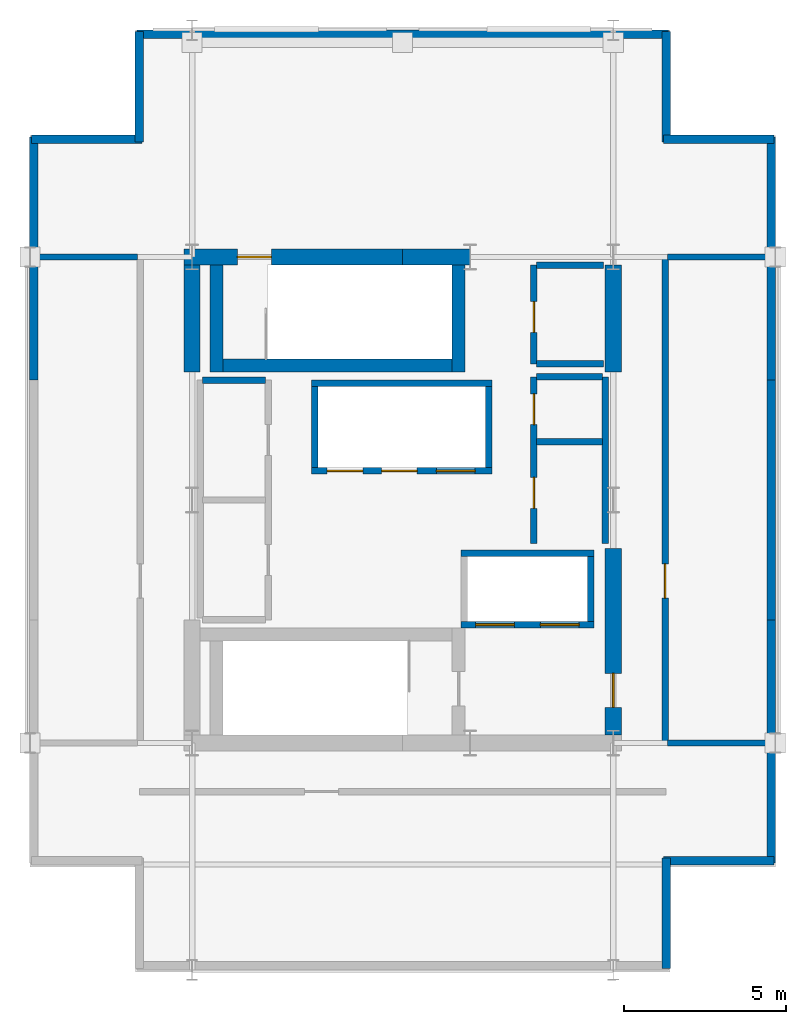
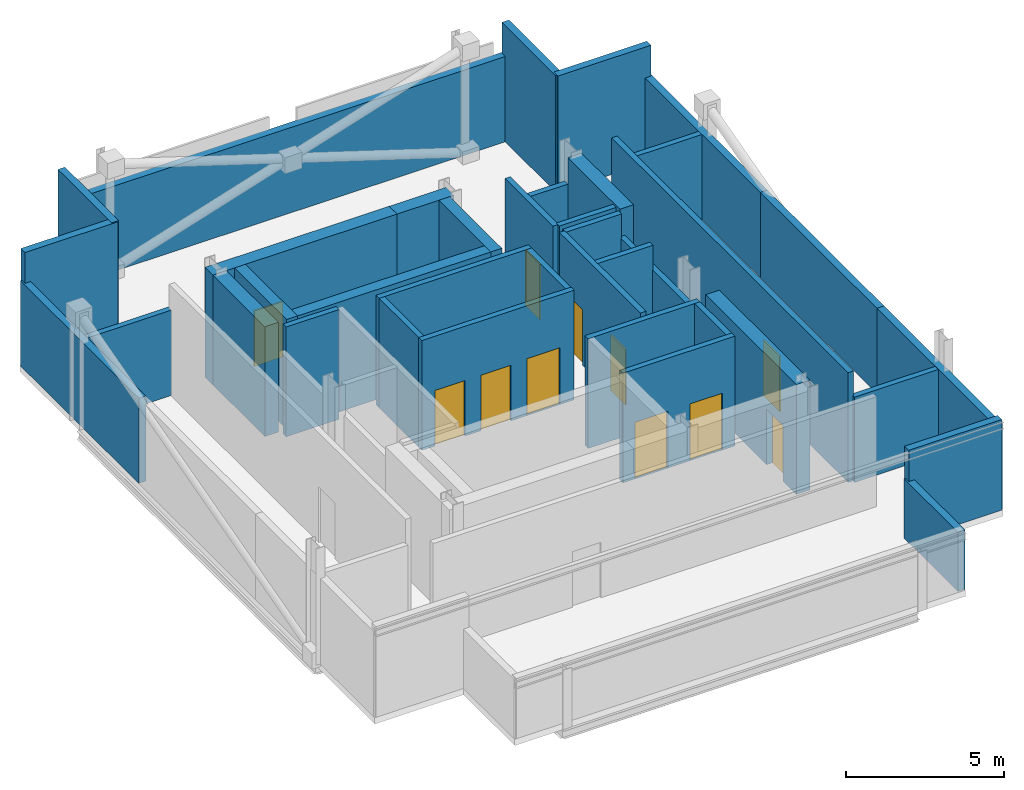
# One storey, part 2 of 3: 38 walls, 11 doors, 11 openings.
"""IFC4 building model written with IfcOpenShell, lengths in metres."""

from ifc_helpers import new_model, si_unit, direction, frame, frame_2d, origin, place, context, subcontext, project, spatial, rectangle, extrude, material, layer, layer_set, type_object, element, fill, save


model = new_model("IFC4")

# Units and contexts
model_context = context("Model", 3, precision=1e-05, world=origin(), true_north=direction((0.0, 1.0)))
body_context = subcontext(model_context, "Body", "Model", "MODEL_VIEW")
ifc_project = project(units=[si_unit("LENGTHUNIT", "METRE"), si_unit("AREAUNIT", "SQUARE_METRE"), si_unit("VOLUMEUNIT", "CUBIC_METRE"), si_unit("PLANEANGLEUNIT", "RADIAN"), si_unit("MASSUNIT", "GRAM", prefix="KILO")], contexts=[model_context])

# Site, building, storey
site_placement = place(None, origin())
site = spatial("IfcSite", under=ifc_project, at=site_placement, CompositionType="ELEMENT")
building_placement = place(site_placement, origin())
building = spatial("IfcBuilding", under=site, at=building_placement, Name="Barlavira Tower and Art Museum", CompositionType="ELEMENT")
storey_placement = place(building_placement, frame((0.0, 0.0, 318.89990234375)))
storey = spatial("IfcBuildingStorey", under=building, at=storey_placement, Name="L83", CompositionType="ELEMENT", Elevation=318.89990234375)

# Wall, opening, door
ifc_material_1 = material(Name="Concrete C60", Category="concrete")
ifc_layer_1 = layer(ifc_material_1, 0.5, Name="Concrete C60")
ifc_layer_set_1 = layer_set([ifc_layer_1], Name="Concrete C60")
wall_type_1 = type_object("IfcWallType", Name="Core Structural Shear Wall 500 Concrete C60", PredefinedType="SHEAR", material=ifc_layer_set_1)
wall_1_placement = place(storey_placement, frame((-6.75, 7.5, 0.0), z_axis=(0.0, 0.0, 1.0), x_axis=(1.0, 0.0, 0.0)))
wall_1 = element("IfcWall", 1, at=wall_1_placement, inside=storey, type_object=wall_type_1, Name="L83 Core Shear Wall CS-NW", PredefinedType="SHEAR", context=body_context, shape_type="SweptSolid", body=[
    extrude(rectangle(XDim=6.75, YDim=0.5, at=frame_2d((3.375, 0.0))), origin(), (0.0, 0.0, 1.0), 4.25),
])
opening_1_placement = place(wall_1_placement, frame((1.64990234375, 0.0, 0.0)))
opening_1 = element("IfcOpeningElement", 2, at=opening_1_placement, cuts=wall_1, Name="Opening FD-90", PredefinedType="OPENING", context=body_context, shape_type="SweptSolid", body=[
    extrude(rectangle(XDim=1.050048828125, YDim=2.14990234375, at=frame_2d((0.52490234375, 1.074951171875))), frame((0.0, 0.260009765625, 0.0), z_axis=(0.0, -1.0, 0.0), x_axis=(1.0, 0.0, 0.0)), (0.0, 0.0, 1.0), 0.52001953125),
])
ifc_material_2 = material(Name="Brushed stainless steel", Category="steel")
door_type_1 = type_object("IfcDoorType", Name="Stair and Refuge Fire Door 1050x2150 FD90S", OperationType="NOTDEFINED", PredefinedType="DOOR", material=ifc_material_2)
door_1_placement = place(opening_1_placement, origin())
door_1 = element("IfcDoor", 3, at=door_1_placement, inside=storey, type_object=door_type_1, Name="L83 Stair ST-T2 Fire Door", OperationType="SINGLE_SWING_LEFT", OverallHeight=2.14990234375, OverallWidth=1.050048828125, PredefinedType="DOOR", context=body_context, shape_type="SweptSolid", body=[
    extrude(rectangle(XDim=1.050048828125, YDim=2.14990234375, at=frame_2d((0.52490234375, 1.074951171875))), frame((0.0, 0.02490234375, 0.0), z_axis=(0.0, -1.0, 0.0), x_axis=(1.0, 0.0, 0.0)), (0.0, 0.0, 1.0), 0.050048828125),
])
fill(opening_1, door_1)

# Walls
wall_2_placement = place(storey_placement, frame((0.0, 7.5, 0.0), z_axis=(0.0, 0.0, 1.0), x_axis=(1.0, 0.0, 0.0)))
element("IfcWall", 4, at=wall_2_placement, inside=storey, type_object=wall_type_1, Name="L83 Core Shear Wall CS-EN", PredefinedType="SHEAR", context=body_context, shape_type="SweptSolid", body=[
    extrude(rectangle(XDim=2.080078125, YDim=0.5, at=frame_2d((1.0400390625, 0.0))), origin(), (0.0, 0.0, 1.0), 4.25),
])
wall_3_placement = place(storey_placement, frame((-6.5, 3.949951171875, 0.0), z_axis=(0.0, 0.0, 1.0), x_axis=(0.0, 1.0, 0.0)))
element("IfcWall", 5, at=wall_3_placement, inside=storey, type_object=wall_type_1, Name="L83 Core Shear Wall CS-W2", PredefinedType="SHEAR", context=body_context, shape_type="SweptSolid", body=[
    extrude(rectangle(XDim=3.300048828125, YDim=0.5, at=frame_2d((1.64990234375, 0.0))), origin(), (0.0, 0.0, 1.0), 4.25),
])

# Wall, opening, door
wall_4_placement = place(storey_placement, frame((6.5, -7.25, 0.0), z_axis=(0.0, 0.0, 1.0), x_axis=(0.0, 1.0, 0.0)))
wall_4 = element("IfcWall", 6, at=wall_4_placement, inside=storey, type_object=wall_type_1, Name="L83 Core Shear Wall CS-E1", PredefinedType="SHEAR", context=body_context, shape_type="SweptSolid", body=[
    extrude(rectangle(XDim=5.75, YDim=0.5, at=frame_2d((2.875, 0.0))), origin(), (0.0, 0.0, 1.0), 4.25),
])
opening_2_placement = place(wall_4_placement, frame((0.85009765625, 0.0, 0.0)))
opening_2 = element("IfcOpeningElement", 7, at=opening_2_placement, cuts=wall_4, Name="Opening FD-90", PredefinedType="OPENING", context=body_context, shape_type="SweptSolid", body=[
    extrude(rectangle(XDim=1.050048828125, YDim=2.14990234375, at=frame_2d((0.52490234375, 1.074951171875))), frame((0.0, 0.260009765625, 0.0), z_axis=(0.0, -1.0, 0.0), x_axis=(1.0, 0.0, 0.0)), (0.0, 0.0, 1.0), 0.52001953125),
])
door_2_placement = place(opening_2_placement, origin())
door_2 = element("IfcDoor", 8, at=door_2_placement, inside=storey, type_object=door_type_1, Name="L83 Firefighting Lobby Entry Fire Door", OperationType="SINGLE_SWING_LEFT", OverallHeight=2.14990234375, OverallWidth=1.050048828125, PredefinedType="DOOR", context=body_context, shape_type="SweptSolid", body=[
    extrude(rectangle(XDim=1.050048828125, YDim=2.14990234375, at=frame_2d((0.52490234375, 1.074951171875))), frame((0.0, 0.02490234375, 0.0), z_axis=(0.0, -1.0, 0.0), x_axis=(1.0, 0.0, 0.0)), (0.0, 0.0, 1.0), 0.050048828125),
])
fill(opening_2, door_2)

# Walls
wall_5_placement = place(storey_placement, frame((6.5, 3.949951171875, 0.0), z_axis=(0.0, 0.0, 1.0), x_axis=(0.0, 1.0, 0.0)))
element("IfcWall", 9, at=wall_5_placement, inside=storey, type_object=wall_type_1, Name="L83 Core Shear Wall CS-E2", PredefinedType="SHEAR", context=body_context, shape_type="SweptSolid", body=[
    extrude(rectangle(XDim=3.300048828125, YDim=0.5, at=frame_2d((1.64990234375, 0.0))), origin(), (0.0, 0.0, 1.0), 4.25),
])
ifc_material_3 = material(Name="Architectural white precast concrete C40", Category="concrete")
ifc_layer_2 = layer(ifc_material_3, 0.260009765625, Name="Architectural white precast concrete C40")
ifc_layer_set_2 = layer_set([ifc_layer_2], Name="Architectural white precast concrete C40")
wall_type_2 = type_object("IfcWallType", Name="Crown Architectural White Precast Wall 260 Concrete C40", PredefinedType="SOLIDWALL", material=ifc_layer_set_2)
wall_6_placement = place(storey_placement, frame((8.199951171875, 14.3798828125, 0.0), z_axis=(0.0, 0.0, 1.0), x_axis=(-1.0, 0.0, 0.0)))
element("IfcWall", 10, at=wall_6_placement, inside=storey, type_object=wall_type_2, Name="L83 Chisel Tall-North White Precast Wall", PredefinedType="SOLIDWALL", context=body_context, shape_type="SweptSolid", body=[
    extrude(rectangle(XDim=16.39990234375, YDim=0.260009765625, at=frame_2d((8.199951171875, 0.0))), origin(), (0.0, 0.0, 1.0), 3.302978515625),
])
for number, where, z_axis, x_axis, name in (
    (11, (-11.3798828125, 11.199951171875, 0.0), (0.0, 0.0, 1.0), (0.0, -1.0, 0.0), "L83 Chisel W White Precast Wall 3"),
    (12, (11.3798828125, -11.199951171875, 0.0), (0.0, 0.0, 1.0), (0.0, 1.0, 0.0), "L83 Chisel E White Precast Wall 1"),
):
    element("IfcWall", number, at=place(storey_placement, frame(where, z_axis=z_axis, x_axis=x_axis)), inside=storey, type_object=wall_type_2, Name=name, PredefinedType="SOLIDWALL", context=body_context, shape_type="SweptSolid", body=[
        extrude(rectangle(XDim=7.5, YDim=0.260009765625, at=frame_2d((3.75, 0.0))), origin(), (0.0, 0.0, 1.0), 3.302978515625),
    ])
wall_7_placement = place(storey_placement, frame((11.3798828125, -3.699951171875, 0.0), z_axis=(0.0, 0.0, 1.0), x_axis=(0.0, 1.0, 0.0)))
element("IfcWall", 13, at=wall_7_placement, inside=storey, type_object=wall_type_2, Name="L83 Chisel E White Precast Wall 2", PredefinedType="SOLIDWALL", context=body_context, shape_type="SweptSolid", body=[
    extrude(rectangle(XDim=7.39990234375, YDim=0.260009765625, at=frame_2d((3.699951171875, 0.0))), origin(), (0.0, 0.0, 1.0), 3.302978515625),
])
wall_8_placement = place(storey_placement, frame((11.3798828125, 3.699951171875, 0.0), z_axis=(0.0, 0.0, 1.0), x_axis=(0.0, 1.0, 0.0)))
element("IfcWall", 14, at=wall_8_placement, inside=storey, type_object=wall_type_2, Name="L83 Chisel E White Precast Wall 3", PredefinedType="SOLIDWALL", context=body_context, shape_type="SweptSolid", body=[
    extrude(rectangle(XDim=7.5, YDim=0.260009765625, at=frame_2d((3.75, 0.0))), origin(), (0.0, 0.0, 1.0), 3.302978515625),
])
wall_9_placement = place(storey_placement, frame((8.1298828125, -14.4599609375, 0.0), z_axis=(0.0, 0.0, 1.0), x_axis=(0.0, 1.0, 0.0)))
element("IfcWall", 15, at=wall_9_placement, inside=storey, type_object=wall_type_2, Name="L83 Crown Notch White Precast Wall SE1", PredefinedType="SOLIDWALL", context=body_context, shape_type="SweptSolid", body=[
    extrude(rectangle(XDim=3.409912109375, YDim=0.260009765625, at=frame_2d((1.705078125, 0.0))), origin(), (0.0, 0.0, 1.0), 2.299560546875),
])
wall_10_placement = place(storey_placement, frame((8.050048828125, -11.1298828125, 0.0), z_axis=(0.0, 0.0, 1.0), x_axis=(1.0, 0.0, 0.0)))
element("IfcWall", 16, at=wall_10_placement, inside=storey, type_object=wall_type_2, Name="L83 Crown Notch White Precast Wall SE2", PredefinedType="SOLIDWALL", context=body_context, shape_type="SweptSolid", body=[
    extrude(rectangle(XDim=3.409912109375, YDim=0.260009765625, at=frame_2d((1.705078125, 0.0))), origin(), (0.0, 0.0, 1.0), 3.511474609375),
])
for number, where, z_axis, x_axis, name in (
    (17, (11.4599609375, 11.1298828125, 0.0), (0.0, 0.0, 1.0), (-1.0, 0.0, 0.0), "L83 Crown Notch White Precast Wall NE1"),
    (18, (8.1298828125, 11.050048828125, 0.0), (0.0, 0.0, 1.0), (0.0, 1.0, 0.0), "L83 Crown Notch White Precast Wall NE2"),
    (19, (-8.1298828125, 14.4599609375, 0.0), (0.0, 0.0, 1.0), (0.0, -1.0, 0.0), "L83 Crown Notch White Precast Wall NW1"),
    (20, (-8.050048828125, 11.1298828125, 0.0), (0.0, 0.0, 1.0), (-1.0, 0.0, 0.0), "L83 Crown Notch White Precast Wall NW2"),
):
    element("IfcWall", number, at=place(storey_placement, frame(where, z_axis=z_axis, x_axis=x_axis)), inside=storey, type_object=wall_type_2, Name=name, PredefinedType="SOLIDWALL", context=body_context, shape_type="SweptSolid", body=[
        extrude(rectangle(XDim=3.409912109375, YDim=0.260009765625, at=frame_2d((1.705078125, 0.0))), origin(), (0.0, 0.0, 1.0), 4.5),
    ])

# Wall, openings, doors
ifc_material_4 = material(Name="Autoclaved aerated concrete masonry", Category="masonry")
ifc_layer_3 = layer(ifc_material_4, 0.199951171875, Name="Autoclaved aerated concrete masonry")
ifc_layer_set_3 = layer_set([ifc_layer_3], Name="Autoclaved aerated concrete masonry")
wall_type_3 = type_object("IfcWallType", Name="Fire Compartment and Shaft Wall 200", PredefinedType="SOLIDWALL", material=ifc_layer_set_3)
wall_11_placement = place(storey_placement, frame((-2.820068359375, 0.89990234375, 0.0), z_axis=(0.0, 0.0, 1.0), x_axis=(1.0, 0.0, 0.0)))
wall_11 = element("IfcWall", 21, at=wall_11_placement, inside=storey, type_object=wall_type_3, Name="L83 High-Rise & Service Lift Front Wall", PredefinedType="SOLIDWALL", context=body_context, shape_type="SweptSolid", body=[
    extrude(rectangle(XDim=5.580078125, YDim=0.199951171875, at=frame_2d((2.7900390625, 0.0))), origin(), (0.0, 0.0, 1.0), 4.25),
])
opening_3_placement = place(wall_11_placement, frame((0.489990234375, 0.0, 0.0)))
opening_3 = element("IfcOpeningElement", 22, at=opening_3_placement, cuts=wall_11, Name="Opening LD-P", PredefinedType="OPENING", context=body_context, shape_type="SweptSolid", body=[
    extrude(rectangle(XDim=1.10009765625, YDim=2.14990234375, at=frame_2d((0.550048828125, 1.074951171875))), frame((0.0, 0.10986328125, 0.0), z_axis=(0.0, -1.0, 0.0), x_axis=(1.0, 0.0, 0.0)), (0.0, 0.0, 1.0), 0.219970703125),
])
opening_4_placement = place(wall_11_placement, frame((2.169921875, 0.0, 0.0)))
opening_4 = element("IfcOpeningElement", 23, at=opening_4_placement, cuts=wall_11, Name="Opening LD-P", PredefinedType="OPENING", context=body_context, shape_type="SweptSolid", body=[
    extrude(rectangle(XDim=1.10009765625, YDim=2.14990234375, at=frame_2d((0.550048828125, 1.074951171875))), frame((0.0, 0.10986328125, 0.0), z_axis=(0.0, -1.0, 0.0), x_axis=(1.0, 0.0, 0.0)), (0.0, 0.0, 1.0), 0.219970703125),
])
opening_5_placement = place(wall_11_placement, frame((3.860107421875, 0.0, 0.0)))
opening_5 = element("IfcOpeningElement", 24, at=opening_5_placement, cuts=wall_11, Name="Opening LD-F", PredefinedType="OPENING", context=body_context, shape_type="SweptSolid", body=[
    extrude(rectangle(XDim=1.199951171875, YDim=2.199951171875, at=frame_2d((0.60009765625, 1.10009765625))), frame((0.0, 0.10986328125, 0.0), z_axis=(0.0, -1.0, 0.0), x_axis=(1.0, 0.0, 0.0)), (0.0, 0.0, 1.0), 0.219970703125),
])
door_type_2 = type_object("IfcDoorType", Name="Firefighting and Service Lift Sliding Door 1200x2200 FD120", OperationType="NOTDEFINED", PredefinedType="DOOR", material=ifc_material_2)
door_3_placement = place(opening_5_placement, origin())
door_3 = element("IfcDoor", 25, at=door_3_placement, inside=storey, type_object=door_type_2, Name="L83 Stretcher Service Lift SL1 Sliding Door", OperationType="DOUBLE_DOOR_SLIDING", OverallHeight=2.199951171875, OverallWidth=1.199951171875, PredefinedType="DOOR", context=body_context, shape_type="SweptSolid", body=[
    extrude(rectangle(XDim=1.199951171875, YDim=2.199951171875, at=frame_2d((0.60009765625, 1.10009765625))), frame((0.0, 0.02490234375, 0.0), z_axis=(0.0, -1.0, 0.0), x_axis=(1.0, 0.0, 0.0)), (0.0, 0.0, 1.0), 0.050048828125),
])
fill(opening_5, door_3)
door_type_3 = type_object("IfcDoorType", Name="Passenger Lift Sliding Landing Door 1100x2150 FD60", OperationType="NOTDEFINED", PredefinedType="DOOR", material=ifc_material_2)
door_4_placement = place(opening_3_placement, origin())
door_4 = element("IfcDoor", 26, at=door_4_placement, inside=storey, type_object=door_type_3, Name="L83 Lift PH1 Sliding Landing Door", OperationType="DOUBLE_DOOR_SLIDING", OverallHeight=2.14990234375, OverallWidth=1.10009765625, PredefinedType="DOOR", context=body_context, shape_type="SweptSolid", body=[
    extrude(rectangle(XDim=1.10009765625, YDim=2.14990234375, at=frame_2d((0.550048828125, 1.074951171875))), frame((0.0, 0.02490234375, 0.0), z_axis=(0.0, -1.0, 0.0), x_axis=(1.0, 0.0, 0.0)), (0.0, 0.0, 1.0), 0.050048828125),
])
fill(opening_3, door_4)
door_5_placement = place(opening_4_placement, origin())
door_5 = element("IfcDoor", 27, at=door_5_placement, inside=storey, type_object=door_type_3, Name="L83 Lift PH2 Sliding Landing Door", OperationType="DOUBLE_DOOR_SLIDING", OverallHeight=2.14990234375, OverallWidth=1.10009765625, PredefinedType="DOOR", context=body_context, shape_type="SweptSolid", body=[
    extrude(rectangle(XDim=1.10009765625, YDim=2.14990234375, at=frame_2d((0.550048828125, 1.074951171875))), frame((0.0, 0.02490234375, 0.0), z_axis=(0.0, -1.0, 0.0), x_axis=(1.0, 0.0, 0.0)), (0.0, 0.0, 1.0), 0.050048828125),
])
fill(opening_4, door_5)

# Walls
wall_12_placement = place(storey_placement, frame((-2.820068359375, 3.60009765625, 0.0), z_axis=(0.0, 0.0, 1.0), x_axis=(1.0, 0.0, 0.0)))
element("IfcWall", 28, at=wall_12_placement, inside=storey, type_object=wall_type_3, Name="L83 High-Rise & Service Lift Back Wall", PredefinedType="SOLIDWALL", context=body_context, shape_type="SweptSolid", body=[
    extrude(rectangle(XDim=5.580078125, YDim=0.199951171875, at=frame_2d((2.7900390625, 0.0))), origin(), (0.0, 0.0, 1.0), 4.25),
])
for number, where, z_axis, x_axis, name in (
    (29, (-2.719970703125, 1.0, 0.0), (0.0, 0.0, 1.0), (0.0, 1.0, 0.0), "L83 High-Rise & Service Lift West Wall"),
    (30, (2.659912109375, 1.0, 0.0), (0.0, 0.0, 1.0), (0.0, 1.0, 0.0), "L83 High-Rise & Service Lift East Wall"),
):
    element("IfcWall", number, at=place(storey_placement, frame(where, z_axis=z_axis, x_axis=x_axis)), inside=storey, type_object=wall_type_3, Name=name, PredefinedType="SOLIDWALL", context=body_context, shape_type="SweptSolid", body=[
        extrude(rectangle(XDim=2.5, YDim=0.199951171875, at=frame_2d((1.25, 0.0))), origin(), (0.0, 0.0, 1.0), 4.25),
    ])

# Wall, openings, doors
wall_13_placement = place(storey_placement, frame((1.800048828125, -3.85009765625, 0.0), z_axis=(0.0, 0.0, 1.0), x_axis=(1.0, 0.0, 0.0)))
wall_13 = element("IfcWall", 31, at=wall_13_placement, inside=storey, type_object=wall_type_3, Name="L83 Firefighting Lift Front Shaft Wall", PredefinedType="SOLIDWALL", context=body_context, shape_type="SweptSolid", body=[
    extrude(rectangle(XDim=4.099853515625, YDim=0.199951171875, at=frame_2d((2.0498046875, 0.0))), origin(), (0.0, 0.0, 1.0), 4.25),
])
opening_6_placement = place(wall_13_placement, frame((0.449951171875, 0.0, 0.0)))
opening_6 = element("IfcOpeningElement", 32, at=opening_6_placement, cuts=wall_13, Name="Opening LD-F", PredefinedType="OPENING", context=body_context, shape_type="SweptSolid", body=[
    extrude(rectangle(XDim=1.199951171875, YDim=2.199951171875, at=frame_2d((0.60009765625, 1.10009765625))), frame((0.0, 0.10986328125, 0.0), z_axis=(0.0, -1.0, 0.0), x_axis=(1.0, 0.0, 0.0)), (0.0, 0.0, 1.0), 0.219970703125),
])
opening_7_placement = place(wall_13_placement, frame((2.449951171875, 0.0, 0.0)))
opening_7 = element("IfcOpeningElement", 33, at=opening_7_placement, cuts=wall_13, Name="Opening LD-F", PredefinedType="OPENING", context=body_context, shape_type="SweptSolid", body=[
    extrude(rectangle(XDim=1.199951171875, YDim=2.199951171875, at=frame_2d((0.60009765625, 1.10009765625))), frame((0.0, 0.10986328125, 0.0), z_axis=(0.0, -1.0, 0.0), x_axis=(1.0, 0.0, 0.0)), (0.0, 0.0, 1.0), 0.219970703125),
])
door_6_placement = place(opening_6_placement, origin())
door_6 = element("IfcDoor", 34, at=door_6_placement, inside=storey, type_object=door_type_2, Name="L83 Firefighting Lift FF1 Sliding Door", OperationType="DOUBLE_DOOR_SLIDING", OverallHeight=2.199951171875, OverallWidth=1.199951171875, PredefinedType="DOOR", context=body_context, shape_type="SweptSolid", body=[
    extrude(rectangle(XDim=1.199951171875, YDim=2.199951171875, at=frame_2d((0.60009765625, 1.10009765625))), frame((0.0, 0.02490234375, 0.0), z_axis=(0.0, -1.0, 0.0), x_axis=(1.0, 0.0, 0.0)), (0.0, 0.0, 1.0), 0.050048828125),
])
fill(opening_6, door_6)
door_7_placement = place(opening_7_placement, origin())
door_7 = element("IfcDoor", 35, at=door_7_placement, inside=storey, type_object=door_type_2, Name="L83 Firefighting Lift FF2 Sliding Door", OperationType="DOUBLE_DOOR_SLIDING", OverallHeight=2.199951171875, OverallWidth=1.199951171875, PredefinedType="DOOR", context=body_context, shape_type="SweptSolid", body=[
    extrude(rectangle(XDim=1.199951171875, YDim=2.199951171875, at=frame_2d((0.60009765625, 1.10009765625))), frame((0.0, 0.02490234375, 0.0), z_axis=(0.0, -1.0, 0.0), x_axis=(1.0, 0.0, 0.0)), (0.0, 0.0, 1.0), 0.050048828125),
])
fill(opening_7, door_7)

# Walls
wall_14_placement = place(storey_placement, frame((1.800048828125, -1.64990234375, 0.0), z_axis=(0.0, 0.0, 1.0), x_axis=(1.0, 0.0, 0.0)))
element("IfcWall", 36, at=wall_14_placement, inside=storey, type_object=wall_type_3, Name="L83 Firefighting Lift Back Shaft Wall", PredefinedType="SOLIDWALL", context=body_context, shape_type="SweptSolid", body=[
    extrude(rectangle(XDim=4.099853515625, YDim=0.199951171875, at=frame_2d((2.0498046875, 0.0))), origin(), (0.0, 0.0, 1.0), 4.25),
])
wall_15_placement = place(storey_placement, frame((5.800048828125, -3.75, 0.0), z_axis=(0.0, 0.0, 1.0), x_axis=(0.0, 1.0, 0.0)))
element("IfcWall", 37, at=wall_15_placement, inside=storey, type_object=wall_type_3, Name="L83 Firefighting Lift East Shaft Wall", PredefinedType="SOLIDWALL", context=body_context, shape_type="SweptSolid", body=[
    extrude(rectangle(XDim=2.0, YDim=0.199951171875, at=frame_2d((1.0, 0.0))), origin(), (0.0, 0.0, 1.0), 4.25),
])

# Wall, openings, doors
wall_16_placement = place(storey_placement, frame((4.050048828125, -1.35009765625, 0.0), z_axis=(0.0, 0.0, 1.0), x_axis=(0.0, 1.0, 0.0)))
wall_16 = element("IfcWall", 38, at=wall_16_placement, inside=storey, type_object=wall_type_3, Name="L83 Partition Wall 4", PredefinedType="SOLIDWALL", context=body_context, shape_type="SweptSolid", body=[
    extrude(rectangle(XDim=5.150146484375, YDim=0.199951171875, at=frame_2d((2.5751953125, 0.0))), origin(), (0.0, 0.0, 1.0), 4.25),
])
opening_8_placement = place(wall_16_placement, frame((1.094970703125, 0.0, 0.0)))
opening_8 = element("IfcOpeningElement", 39, at=opening_8_placement, cuts=wall_16, Name="Opening FD-60", PredefinedType="OPENING", context=body_context, shape_type="SweptSolid", body=[
    extrude(rectangle(XDim=0.949951171875, YDim=2.14990234375, at=frame_2d((0.47509765625, 1.074951171875))), frame((0.0, 0.10986328125, 0.0), z_axis=(0.0, -1.0, 0.0), x_axis=(1.0, 0.0, 0.0)), (0.0, 0.0, 1.0), 0.219970703125),
])
opening_9_placement = place(wall_16_placement, frame((3.675048828125, 0.0, 0.0)))
opening_9 = element("IfcOpeningElement", 40, at=opening_9_placement, cuts=wall_16, Name="Opening FD-60", PredefinedType="OPENING", context=body_context, shape_type="SweptSolid", body=[
    extrude(rectangle(XDim=0.949951171875, YDim=2.14990234375, at=frame_2d((0.47509765625, 1.074951171875))), frame((0.0, 0.10986328125, 0.0), z_axis=(0.0, -1.0, 0.0), x_axis=(1.0, 0.0, 0.0)), (0.0, 0.0, 1.0), 0.219970703125),
])
door_type_4 = type_object("IfcDoorType", Name="Apartment Entrance and Riser Fire Door 950x2150 FD60S", OperationType="NOTDEFINED", PredefinedType="DOOR", material=ifc_material_2)
door_8_placement = place(opening_8_placement, origin())
door_8 = element("IfcDoor", 41, at=door_8_placement, inside=storey, type_object=door_type_4, Name="Reclaimed Upper Core IT Hub Door", OperationType="SINGLE_SWING_RIGHT", OverallHeight=2.14990234375, OverallWidth=0.949951171875, PredefinedType="DOOR", context=body_context, shape_type="SweptSolid", body=[
    extrude(rectangle(XDim=0.949951171875, YDim=2.14990234375, at=frame_2d((0.47509765625, 1.074951171875))), frame((0.0, 0.02490234375, 0.0), z_axis=(0.0, -1.0, 0.0), x_axis=(1.0, 0.0, 0.0)), (0.0, 0.0, 1.0), 0.050048828125),
])
fill(opening_8, door_8)
door_9_placement = place(opening_9_placement, origin())
door_9 = element("IfcDoor", 42, at=door_9_placement, inside=storey, type_object=door_type_4, Name="Reclaimed Upper Core Archive Closet Door", OperationType="SINGLE_SWING_LEFT", OverallHeight=2.14990234375, OverallWidth=0.949951171875, PredefinedType="DOOR", context=body_context, shape_type="SweptSolid", body=[
    extrude(rectangle(XDim=0.949951171875, YDim=2.14990234375, at=frame_2d((0.47509765625, 1.074951171875))), frame((0.0, 0.02490234375, 0.0), z_axis=(0.0, -1.0, 0.0), x_axis=(1.0, 0.0, 0.0)), (0.0, 0.0, 1.0), 0.050048828125),
])
fill(opening_9, door_9)

# Wall, opening, door
wall_17_placement = place(storey_placement, frame((4.050048828125, 4.199951171875, 0.0), z_axis=(0.0, 0.0, 1.0), x_axis=(0.0, 1.0, 0.0)))
wall_17 = element("IfcWall", 43, at=wall_17_placement, inside=storey, type_object=wall_type_3, Name="L83 Partition Wall 5", PredefinedType="SOLIDWALL", context=body_context, shape_type="SweptSolid", body=[
    extrude(rectangle(XDim=3.050048828125, YDim=0.199951171875, at=frame_2d((1.52490234375, 0.0))), origin(), (0.0, 0.0, 1.0), 4.25),
])
opening_10_placement = place(wall_17_placement, frame((0.97509765625, 0.0, 0.0)))
opening_10 = element("IfcOpeningElement", 44, at=opening_10_placement, cuts=wall_17, Name="Opening FD-60", PredefinedType="OPENING", context=body_context, shape_type="SweptSolid", body=[
    extrude(rectangle(XDim=0.949951171875, YDim=2.14990234375, at=frame_2d((0.47509765625, 1.074951171875))), frame((0.0, 0.10986328125, 0.0), z_axis=(0.0, -1.0, 0.0), x_axis=(1.0, 0.0, 0.0)), (0.0, 0.0, 1.0), 0.219970703125),
])
door_10_placement = place(opening_10_placement, origin())
door_10 = element("IfcDoor", 45, at=door_10_placement, inside=storey, type_object=door_type_4, Name="Combined Electrical and Telecom Plant Room Door", OperationType="SINGLE_SWING_RIGHT", OverallHeight=2.14990234375, OverallWidth=0.949951171875, PredefinedType="DOOR", context=body_context, shape_type="SweptSolid", body=[
    extrude(rectangle(XDim=0.949951171875, YDim=2.14990234375, at=frame_2d((0.47509765625, 1.074951171875))), frame((0.0, 0.02490234375, 0.0), z_axis=(0.0, -1.0, 0.0), x_axis=(1.0, 0.0, 0.0)), (0.0, 0.0, 1.0), 0.050048828125),
])
fill(opening_10, door_10)

# Wall
wall_18_placement = place(storey_placement, frame((6.25, -1.35009765625, 0.0), z_axis=(0.0, 0.0, 1.0), x_axis=(0.0, 1.0, 0.0)))
element("IfcWall", 46, at=wall_18_placement, inside=storey, type_object=wall_type_3, Name="L83 Partition Wall 6", PredefinedType="SOLIDWALL", context=body_context, shape_type="SweptSolid", body=[
    extrude(rectangle(XDim=5.150146484375, YDim=0.199951171875, at=frame_2d((2.5751953125, 0.0))), origin(), (0.0, 0.0, 1.0), 3.302978515625),
])

# Wall, opening, door
wall_19_placement = place(storey_placement, frame((8.10009765625, -7.5, 0.0), z_axis=(0.0, 0.0, 1.0), x_axis=(0.0, 1.0, 0.0)))
wall_19 = element("IfcWall", 47, at=wall_19_placement, inside=storey, type_object=wall_type_3, Name="L83 Partition Wall 7", PredefinedType="SOLIDWALL", context=body_context, shape_type="SweptSolid", body=[
    extrude(rectangle(XDim=15.0, YDim=0.199951171875, at=frame_2d((7.5, 0.0))), origin(), (0.0, 0.0, 1.0), 4.25),
])
opening_11_placement = place(wall_19_placement, frame((4.47509765625, 0.0, 0.0)))
opening_11 = element("IfcOpeningElement", 48, at=opening_11_placement, cuts=wall_19, Name="Opening FD-90", PredefinedType="OPENING", context=body_context, shape_type="SweptSolid", body=[
    extrude(rectangle(XDim=1.050048828125, YDim=2.14990234375, at=frame_2d((0.52490234375, 1.074951171875))), frame((0.0, 0.10986328125, 0.0), z_axis=(0.0, -1.0, 0.0), x_axis=(1.0, 0.0, 0.0)), (0.0, 0.0, 1.0), 0.219970703125),
])
door_11_placement = place(opening_11_placement, origin())
door_11 = element("IfcDoor", 49, at=door_11_placement, inside=storey, type_object=door_type_1, Name="High-Rise Lift Machine and Pressurisation Room Door", OperationType="SINGLE_SWING_LEFT", OverallHeight=2.14990234375, OverallWidth=1.050048828125, PredefinedType="DOOR", context=body_context, shape_type="SweptSolid", body=[
    extrude(rectangle(XDim=1.050048828125, YDim=2.14990234375, at=frame_2d((0.52490234375, 1.074951171875))), frame((0.0, 0.02490234375, 0.0), z_axis=(0.0, -1.0, 0.0), x_axis=(1.0, 0.0, 0.0)), (0.0, 0.0, 1.0), 0.050048828125),
])
fill(opening_11, door_11)

# Walls
wall_20_placement = place(storey_placement, frame((8.179931640625, -7.5, 0.0), z_axis=(0.0, 0.0, 1.0), x_axis=(1.0, 0.0, 0.0)))
element("IfcWall", 50, at=wall_20_placement, inside=storey, type_object=wall_type_3, Name="L83 Partition Wall 10", PredefinedType="SOLIDWALL", context=body_context, shape_type="SweptSolid", body=[
    extrude(rectangle(XDim=3.065185546875, YDim=0.199951171875, at=frame_2d((1.53271484375, 0.0))), origin(), (0.0, 0.0, 1.0), 3.302978515625),
])
wall_21_placement = place(storey_placement, frame((4.1298828125, 1.800048828125, 0.0), z_axis=(0.0, 0.0, 1.0), x_axis=(1.0, 0.0, 0.0)))
element("IfcWall", 51, at=wall_21_placement, inside=storey, type_object=wall_type_3, Name="L83 Partition Wall 13", PredefinedType="SOLIDWALL", context=body_context, shape_type="SweptSolid", body=[
    extrude(rectangle(XDim=2.0400390625, YDim=0.199951171875, at=frame_2d((1.02001953125, 0.0))), origin(), (0.0, 0.0, 1.0), 4.25),
])
wall_22_placement = place(storey_placement, frame((-6.169921875, 3.699951171875, 0.0), z_axis=(0.0, 0.0, 1.0), x_axis=(1.0, 0.0, 0.0)))
element("IfcWall", 52, at=wall_22_placement, inside=storey, type_object=wall_type_3, Name="L83 Partition Wall 14", PredefinedType="SOLIDWALL", context=body_context, shape_type="SweptSolid", body=[
    extrude(rectangle(XDim=1.93994140625, YDim=0.199951171875, at=frame_2d((0.969970703125, 0.0))), origin(), (0.0, 0.0, 1.0), 4.25),
])
wall_23_placement = place(storey_placement, frame((4.1298828125, 3.800048828125, 0.0), z_axis=(0.0, 0.0, 1.0), x_axis=(1.0, 0.0, 0.0)))
element("IfcWall", 53, at=wall_23_placement, inside=storey, type_object=wall_type_3, Name="L83 Partition Wall 15", PredefinedType="SOLIDWALL", context=body_context, shape_type="SweptSolid", body=[
    extrude(rectangle(XDim=2.0400390625, YDim=0.199951171875, at=frame_2d((1.02001953125, 0.0))), origin(), (0.0, 0.0, 1.0), 4.25),
])
wall_24_placement = place(storey_placement, frame((4.1298828125, 4.199951171875, 0.0), z_axis=(0.0, 0.0, 1.0), x_axis=(1.0, 0.0, 0.0)))
element("IfcWall", 54, at=wall_24_placement, inside=storey, type_object=wall_type_3, Name="L83 Partition Wall 16", PredefinedType="SOLIDWALL", context=body_context, shape_type="SweptSolid", body=[
    extrude(rectangle(XDim=2.070068359375, YDim=0.199951171875, at=frame_2d((1.03515625, 0.0))), origin(), (0.0, 0.0, 1.0), 4.25),
])
wall_25_placement = place(storey_placement, frame((4.1298828125, 7.25, 0.0), z_axis=(0.0, 0.0, 1.0), x_axis=(1.0, 0.0, 0.0)))
element("IfcWall", 55, at=wall_25_placement, inside=storey, type_object=wall_type_3, Name="L83 Partition Wall 17", PredefinedType="SOLIDWALL", context=body_context, shape_type="SweptSolid", body=[
    extrude(rectangle(XDim=2.070068359375, YDim=0.199951171875, at=frame_2d((1.03515625, 0.0))), origin(), (0.0, 0.0, 1.0), 3.302978515625),
])
for number, where, z_axis, x_axis, name in (
    (56, (-11.2451171875, 7.5, 0.0), (0.0, 0.0, 1.0), (1.0, 0.0, 0.0), "L83 Partition Wall 18"),
    (57, (8.179931640625, 7.5, 0.0), (0.0, 0.0, 1.0), (1.0, 0.0, 0.0), "L83 Partition Wall 19"),
):
    element("IfcWall", number, at=place(storey_placement, frame(where, z_axis=z_axis, x_axis=x_axis)), inside=storey, type_object=wall_type_3, Name=name, PredefinedType="SOLIDWALL", context=body_context, shape_type="SweptSolid", body=[
        extrude(rectangle(XDim=3.065185546875, YDim=0.199951171875, at=frame_2d((1.53271484375, 0.0))), origin(), (0.0, 0.0, 1.0), 3.302978515625),
    ])
ifc_material_5 = material(Name="Concrete C55", Category="concrete")
ifc_layer_4 = layer(ifc_material_5, 0.39990234375, Name="Concrete C55")
ifc_layer_set_4 = layer_set([ifc_layer_4], Name="Concrete C55")
wall_type_4 = type_object("IfcWallType", Name="Upper Core Shear Wall 400 Concrete C55", PredefinedType="SHEAR", material=ifc_layer_set_4)
wall_26_placement = place(storey_placement, frame((-5.550048828125, 4.14990234375, 0.0), z_axis=(0.0, 0.0, 1.0), x_axis=(1.0, 0.0, 0.0)))
element("IfcWall", 58, at=wall_26_placement, inside=storey, type_object=wall_type_4, Name="L83 ST-T2 South Shaft Wall", PredefinedType="SHEAR", context=body_context, shape_type="SweptSolid", body=[
    extrude(rectangle(XDim=7.080078125, YDim=0.39990234375, at=frame_2d((3.5400390625, 0.0))), origin(), (0.0, 0.0, 1.0), 4.25),
])
for number, where, z_axis, x_axis, name in (
    (59, (1.72998046875, 3.949951171875, 0.0), (0.0, 0.0, 1.0), (0.0, 1.0, 0.0), "L83 ST-T2 East Half-Landing Wall"),
    (60, (-5.75, 3.949951171875, 0.0), (0.0, 0.0, 1.0), (0.0, 1.0, 0.0), "L83 ST-T2 West Shaft Wall"),
):
    element("IfcWall", number, at=place(storey_placement, frame(where, z_axis=z_axis, x_axis=x_axis)), inside=storey, type_object=wall_type_4, Name=name, PredefinedType="SHEAR", context=body_context, shape_type="SweptSolid", body=[
        extrude(rectangle(XDim=3.300048828125, YDim=0.39990234375, at=frame_2d((1.64990234375, 0.0))), origin(), (0.0, 0.0, 1.0), 4.25),
    ])

save(model, "model.ifc")
